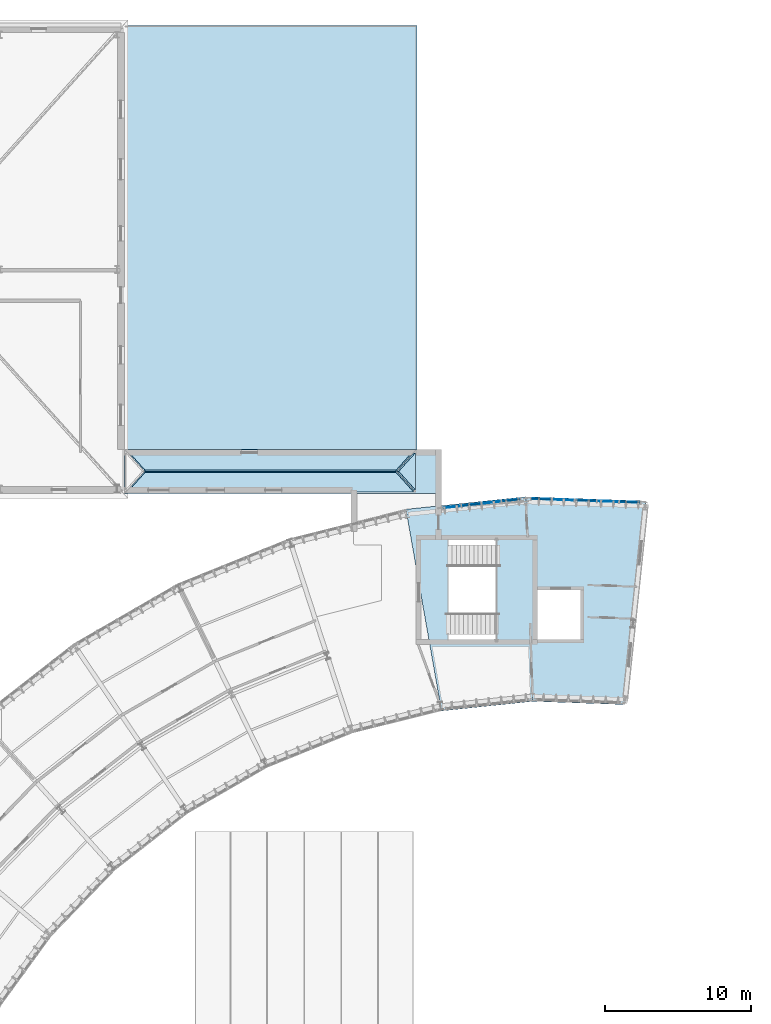
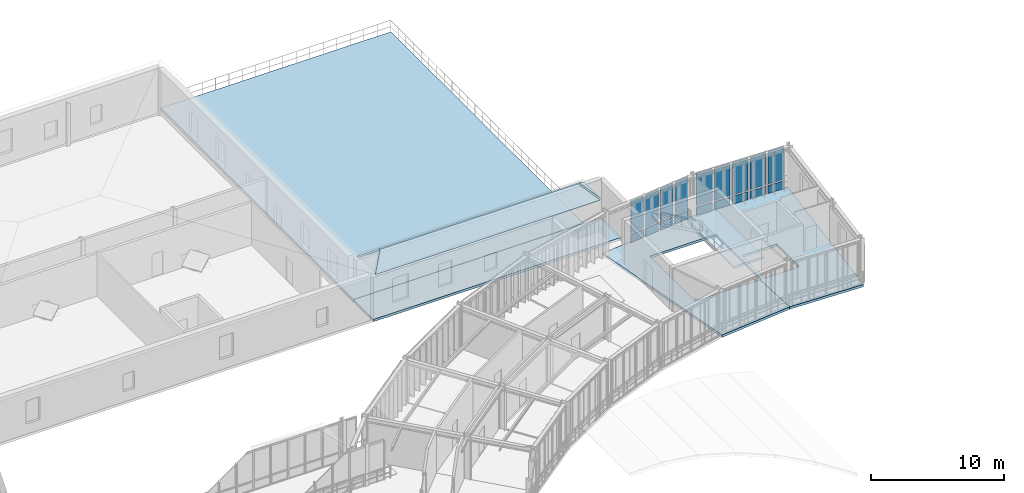
# One storey, part 33 of 57: 18 plates, 8 slabs, 3 elements without a shape of their own.
"""IFC4 building model written with IfcOpenShell, lengths in metres."""

from ifc_helpers import new_model, si_unit, direction, frame, origin, origin_2d, place, context, subcontext, project, spatial, polyline, rectangle, outline, extrude, material, layer, layer_set, type_object, element, aggregate, save


model = new_model("IFC4")

# Units and contexts
model_context = context("Model", 3, precision=1e-05, world=origin(), true_north=direction((0.0, 1.0)))
body_context = subcontext(model_context, "Body", "Model", "MODEL_VIEW")
ifc_project = project(units=[si_unit("LENGTHUNIT", "METRE"), si_unit("AREAUNIT", "SQUARE_METRE"), si_unit("VOLUMEUNIT", "CUBIC_METRE"), si_unit("PLANEANGLEUNIT", "RADIAN"), si_unit("MASSUNIT", "GRAM", prefix="KILO"), si_unit("THERMODYNAMICTEMPERATUREUNIT", "KELVIN"), si_unit("POWERUNIT", "WATT")], contexts=[model_context])

# Site, building, storey
site_placement = place(None, origin())
site = spatial("IfcSite", under=ifc_project, at=site_placement, CompositionType="ELEMENT")
building_placement = place(site_placement, origin())
building = spatial("IfcBuilding", under=site, at=building_placement, Name="Solvatero Civic Police Headquarters", CompositionType="ELEMENT")
storey_placement = place(building_placement, frame((0.0, 0.0, 9.300048828125)))
storey = spatial("IfcBuildingStorey", under=building, at=storey_placement, Name="L02", CompositionType="ELEMENT", Elevation=9.300048828125)

# Curtain wall, plates
ifc_material_1 = material(Name="Anodized Bronze Aluminium", Category="aluminium")
ifc_layer_1 = layer(ifc_material_1, 0.179931640625)
ifc_layer_set_1 = layer_set([ifc_layer_1], Name="Anodized Bronze Aluminium")
curtain_wall_type = type_object("IfcCurtainWallType", Name="CW-ARC-OUT", PredefinedType="USERDEFINED", material=ifc_layer_set_1)
curtain_wall_1_placement = place(storey_placement, origin())
curtain_wall_1 = element("IfcCurtainWall", 1, at=curtain_wall_1_placement, inside=storey, type_object=curtain_wall_type, Name="Curtain Wall CW-R2-L02-ARC-OUT-B01", ObjectType="UNITISED", PredefinedType="USERDEFINED")
ifc_material_2 = material(Name="Triple Low-E Laminated Glass", Category="glass")
ifc_layer_2 = layer(ifc_material_2, 0.0380859375)
ifc_layer_set_2 = layer_set([ifc_layer_2], Name="Triple Low-E Laminated Glass")
plate_type_1 = type_object("IfcPlateType", Name="CWP-GLZ-38", PredefinedType="CURTAIN_PANEL", material=ifc_layer_set_2)
plate_1_placement = place(storey_placement, frame((97.566162109375, 84.647705078125, 0.91015625), z_axis=(0.0, 0.0, 1.0), x_axis=(-0.999390827019, 0.034899496703, 0.0)))
plate_1 = element("IfcPlate", 2, at=plate_1_placement, type_object=plate_type_1, Name="CW-R2-L02-ARC-OUT-B01 Vision Glazing 2", PredefinedType="CURTAIN_PANEL", context=body_context, shape_type="SweptSolid", body=[
    extrude(rectangle(XDim=1.3427734375, YDim=0.0380859375, at=origin_2d()), origin(), (0.0, 0.0, 1.0), 2.969970703125),
])
plate_2_placement = place(storey_placement, frame((94.522705078125, 84.754150390625, 0.91015625), z_axis=(0.0, 0.0, 1.0), x_axis=(-0.999390827019, 0.034899496703, 0.0)))
plate_2 = element("IfcPlate", 3, at=plate_2_placement, type_object=plate_type_1, Name="CW-R2-L02-ARC-OUT-B01 Vision Glazing 4", PredefinedType="CURTAIN_PANEL", context=body_context, shape_type="SweptSolid", body=[
    extrude(rectangle(XDim=1.3427734375, YDim=0.0380859375, at=origin_2d()), origin(), (0.0, 0.0, 1.0), 2.969970703125),
])

curtain_wall_2_placement = place(storey_placement, origin())
curtain_wall_2 = element("IfcCurtainWall", 4, at=curtain_wall_2_placement, inside=storey, type_object=curtain_wall_type, Name="Curtain Wall CW-R2-L02-ARC-OUT-B02E", ObjectType="UNITISED", PredefinedType="USERDEFINED")
plate_3_placement = place(storey_placement, frame((89.598388671875, 84.576416015625, 0.91015625), z_axis=(0.0, 0.0, 1.0), x_axis=(-0.993565927008, -0.113255236913, 0.0)))
plate_3 = element("IfcPlate", 5, at=plate_3_placement, type_object=plate_type_1, Name="CW-R2-L02-ARC-OUT-B02E Vision Glazing 2", PredefinedType="CURTAIN_PANEL", context=body_context, shape_type="SweptSolid", body=[
    extrude(rectangle(XDim=1.1962890625, YDim=0.0380859375, at=origin_2d()), origin(), (0.0, 0.0, 1.0), 2.969970703125),
])
plate_4_placement = place(storey_placement, frame((86.86328125, 84.2646484375, 0.91015625), z_axis=(0.0, 0.0, 1.0), x_axis=(-0.993565927008, -0.113255236913, 0.0)))
plate_4 = element("IfcPlate", 6, at=plate_4_placement, type_object=plate_type_1, Name="CW-R2-L02-ARC-OUT-B02E Vision Glazing 4", PredefinedType="CURTAIN_PANEL", context=body_context, shape_type="SweptSolid", body=[
    extrude(rectangle(XDim=1.1962890625, YDim=0.0380859375, at=origin_2d()), origin(), (0.0, 0.0, 1.0), 2.969970703125),
])

# Plate
ifc_material_3 = material(Name="Acoustic Ballistic Laminated Glass", Category="glass")
ifc_layer_3 = layer(ifc_material_3, 0.0439453125)
ifc_layer_set_3 = layer_set([ifc_layer_3], Name="Acoustic Ballistic Laminated Glass")
plate_type_2 = type_object("IfcPlateType", Name="CWP-GLZ-44", PredefinedType="CURTAIN_PANEL", material=ifc_layer_set_3)
plate_5_placement = place(storey_placement, frame((99.087890625, 84.5947265625, 0.91015625), z_axis=(0.0, 0.0, 1.0), x_axis=(-0.999390827019, 0.034899496703, 0.0)))
plate_5 = element("IfcPlate", 7, at=plate_5_placement, type_object=plate_type_2, Name="CW-R2-L02-ARC-OUT-B01 Vision Glazing 1", PredefinedType="CURTAIN_PANEL", context=body_context, shape_type="SweptSolid", body=[
    extrude(rectangle(XDim=1.3427734375, YDim=0.0439453125, at=origin_2d()), origin(), (0.0, 0.0, 1.0), 2.969970703125),
])

plate_6_placement = place(storey_placement, frame((96.04443359375, 84.700927734375, 0.91015625), z_axis=(0.0, 0.0, 1.0), x_axis=(-0.999390827019, 0.034899496703, 0.0)))
plate_6 = element("IfcPlate", 8, at=plate_6_placement, type_object=plate_type_2, Name="CW-R2-L02-ARC-OUT-B01 Vision Glazing 3", PredefinedType="CURTAIN_PANEL", context=body_context, shape_type="SweptSolid", body=[
    extrude(rectangle(XDim=1.3427734375, YDim=0.0439453125, at=origin_2d()), origin(), (0.0, 0.0, 1.0), 2.969970703125),
])

plate_7_placement = place(storey_placement, frame((93.000732421875, 84.807373046875, 0.91015625), z_axis=(0.0, 0.0, 1.0), x_axis=(-0.999390827019, 0.034899496703, 0.0)))
plate_7 = element("IfcPlate", 9, at=plate_7_placement, type_object=plate_type_2, Name="CW-R2-L02-ARC-OUT-B01 Vision Glazing 5", PredefinedType="CURTAIN_PANEL", context=body_context, shape_type="SweptSolid", body=[
    extrude(rectangle(XDim=1.3427734375, YDim=0.0439453125, at=origin_2d()), origin(), (0.0, 0.0, 1.0), 2.969970703125),
])

plate_8_placement = place(storey_placement, frame((90.966064453125, 84.732421875, 0.91015625), z_axis=(0.0, 0.0, 1.0), x_axis=(-0.993565927008, -0.113255236913, 0.0)))
plate_8 = element("IfcPlate", 10, at=plate_8_placement, type_object=plate_type_2, Name="CW-R2-L02-ARC-OUT-B02E Vision Glazing 1", PredefinedType="CURTAIN_PANEL", context=body_context, shape_type="SweptSolid", body=[
    extrude(rectangle(XDim=1.1962890625, YDim=0.0439453125, at=origin_2d()), origin(), (0.0, 0.0, 1.0), 2.969970703125),
])

plate_9_placement = place(storey_placement, frame((88.23095703125, 84.420654296875, 0.91015625), z_axis=(0.0, 0.0, 1.0), x_axis=(-0.993565927008, -0.113255236913, 0.0)))
plate_9 = element("IfcPlate", 11, at=plate_9_placement, type_object=plate_type_2, Name="CW-R2-L02-ARC-OUT-B02E Vision Glazing 3", PredefinedType="CURTAIN_PANEL", context=body_context, shape_type="SweptSolid", body=[
    extrude(rectangle(XDim=1.1962890625, YDim=0.0439453125, at=origin_2d()), origin(), (0.0, 0.0, 1.0), 2.969970703125),
])

ifc_material_4 = material(Name="Insulated Bronze Aluminium Spandrel", Category="aluminium")
ifc_layer_4 = layer(ifc_material_4, 0.06005859375)
ifc_layer_set_4 = layer_set([ifc_layer_4], Name="Insulated Bronze Aluminium Spandrel")
plate_type_3 = type_object("IfcPlateType", Name="CWP-SPN-60", PredefinedType="CURTAIN_PANEL", material=ifc_layer_set_4)
plate_10_placement = place(storey_placement, frame((97.566162109375, 84.647705078125, 0.06005859375), z_axis=(0.0, 0.0, 1.0), x_axis=(-0.999390827019, 0.034899496703, 0.0)))
plate_10 = element("IfcPlate", 12, at=plate_10_placement, type_object=plate_type_3, Name="CW-R2-L02-ARC-OUT-B01 Spandrel Panel 2", PredefinedType="CURTAIN_PANEL", context=body_context, shape_type="SweptSolid", body=[
    extrude(rectangle(XDim=1.3427734375, YDim=0.06005859375, at=origin_2d()), origin(), (0.0, 0.0, 1.0), 0.72998046875),
])

plate_11_placement = place(storey_placement, frame((94.522705078125, 84.754150390625, 0.06005859375), z_axis=(0.0, 0.0, 1.0), x_axis=(-0.999390827019, 0.034899496703, 0.0)))
plate_11 = element("IfcPlate", 13, at=plate_11_placement, type_object=plate_type_3, Name="CW-R2-L02-ARC-OUT-B01 Spandrel Panel 4", PredefinedType="CURTAIN_PANEL", context=body_context, shape_type="SweptSolid", body=[
    extrude(rectangle(XDim=1.3427734375, YDim=0.06005859375, at=origin_2d()), origin(), (0.0, 0.0, 1.0), 0.72998046875),
])

plate_12_placement = place(storey_placement, frame((89.598388671875, 84.576416015625, 0.06005859375), z_axis=(0.0, 0.0, 1.0), x_axis=(-0.993565927008, -0.113255236913, 0.0)))
plate_12 = element("IfcPlate", 14, at=plate_12_placement, type_object=plate_type_3, Name="CW-R2-L02-ARC-OUT-B02E Spandrel Panel 2", PredefinedType="CURTAIN_PANEL", context=body_context, shape_type="SweptSolid", body=[
    extrude(rectangle(XDim=1.1962890625, YDim=0.06005859375, at=origin_2d()), origin(), (0.0, 0.0, 1.0), 0.72998046875),
])

plate_13_placement = place(storey_placement, frame((86.86328125, 84.2646484375, 0.06005859375), z_axis=(0.0, 0.0, 1.0), x_axis=(-0.993565927008, -0.113255236913, 0.0)))
plate_13 = element("IfcPlate", 15, at=plate_13_placement, type_object=plate_type_3, Name="CW-R2-L02-ARC-OUT-B02E Spandrel Panel 4", PredefinedType="CURTAIN_PANEL", context=body_context, shape_type="SweptSolid", body=[
    extrude(rectangle(XDim=1.1962890625, YDim=0.06005859375, at=origin_2d()), origin(), (0.0, 0.0, 1.0), 0.72998046875),
])

ifc_material_5 = material(Name="Limestone Veneer Spandrel Panel", Category="masonry")
ifc_layer_5 = layer(ifc_material_5, 0.074951171875)
ifc_layer_set_5 = layer_set([ifc_layer_5], Name="Limestone Veneer Spandrel Panel")
plate_type_4 = type_object("IfcPlateType", Name="CWP-SPN-75", PredefinedType="CURTAIN_PANEL", material=ifc_layer_set_5)
plate_14_placement = place(storey_placement, frame((99.087890625, 84.5947265625, 0.06005859375), z_axis=(0.0, 0.0, 1.0), x_axis=(-0.999390827019, 0.034899496703, 0.0)))
plate_14 = element("IfcPlate", 16, at=plate_14_placement, type_object=plate_type_4, Name="CW-R2-L02-ARC-OUT-B01 Spandrel Panel 1", PredefinedType="CURTAIN_PANEL", context=body_context, shape_type="SweptSolid", body=[
    extrude(rectangle(XDim=1.3427734375, YDim=0.074951171875, at=origin_2d()), origin(), (0.0, 0.0, 1.0), 0.72998046875),
])

plate_15_placement = place(storey_placement, frame((96.04443359375, 84.700927734375, 0.06005859375), z_axis=(0.0, 0.0, 1.0), x_axis=(-0.999390827019, 0.034899496703, 0.0)))
plate_15 = element("IfcPlate", 17, at=plate_15_placement, type_object=plate_type_4, Name="CW-R2-L02-ARC-OUT-B01 Spandrel Panel 3", PredefinedType="CURTAIN_PANEL", context=body_context, shape_type="SweptSolid", body=[
    extrude(rectangle(XDim=1.3427734375, YDim=0.074951171875, at=origin_2d()), origin(), (0.0, 0.0, 1.0), 0.72998046875),
])

plate_16_placement = place(storey_placement, frame((93.000732421875, 84.807373046875, 0.06005859375), z_axis=(0.0, 0.0, 1.0), x_axis=(-0.999390827019, 0.034899496703, 0.0)))
plate_16 = element("IfcPlate", 18, at=plate_16_placement, type_object=plate_type_4, Name="CW-R2-L02-ARC-OUT-B01 Spandrel Panel 5", PredefinedType="CURTAIN_PANEL", context=body_context, shape_type="SweptSolid", body=[
    extrude(rectangle(XDim=1.3427734375, YDim=0.074951171875, at=origin_2d()), origin(), (0.0, 0.0, 1.0), 0.72998046875),
])

aggregate(curtain_wall_1, [plate_14, plate_5, plate_10, plate_1, plate_15, plate_6, plate_11, plate_2, plate_16, plate_7])

plate_17_placement = place(storey_placement, frame((90.966064453125, 84.732421875, 0.06005859375), z_axis=(0.0, 0.0, 1.0), x_axis=(-0.993565927008, -0.113255236913, 0.0)))
plate_17 = element("IfcPlate", 19, at=plate_17_placement, type_object=plate_type_4, Name="CW-R2-L02-ARC-OUT-B02E Spandrel Panel 1", PredefinedType="CURTAIN_PANEL", context=body_context, shape_type="SweptSolid", body=[
    extrude(rectangle(XDim=1.1962890625, YDim=0.074951171875, at=origin_2d()), origin(), (0.0, 0.0, 1.0), 0.72998046875),
])

plate_18_placement = place(storey_placement, frame((88.23095703125, 84.420654296875, 0.06005859375), z_axis=(0.0, 0.0, 1.0), x_axis=(-0.993565927008, -0.113255236913, 0.0)))
plate_18 = element("IfcPlate", 20, at=plate_18_placement, type_object=plate_type_4, Name="CW-R2-L02-ARC-OUT-B02E Spandrel Panel 3", PredefinedType="CURTAIN_PANEL", context=body_context, shape_type="SweptSolid", body=[
    extrude(rectangle(XDim=1.1962890625, YDim=0.074951171875, at=origin_2d()), origin(), (0.0, 0.0, 1.0), 0.72998046875),
])

aggregate(curtain_wall_2, [plate_17, plate_8, plate_12, plate_3, plate_18, plate_9, plate_13, plate_4])

# Slabs
ifc_material_6 = material(Name="Concrete C35/45", Category="concrete")
ifc_layer_6 = layer(ifc_material_6, 0.199951171875)
ifc_layer_set_6 = layer_set([ifc_layer_6], Name="Concrete C35/45")
slab_type_1 = type_object("IfcSlabType", Name="SLB-COMP-200", PredefinedType="FLOOR", material=ifc_layer_set_6)
slab_1_placement = place(storey_placement, frame((0.0, 0.0, -0.219970703125)))
element("IfcSlab", 21, at=slab_1_placement, inside=storey, type_object=slab_type_1, Name="L02 Operations Arc Floor Slab Bay 1", PredefinedType="FLOOR", context=body_context, shape_type="SweptSolid", body=[
    extrude(outline(polyline([(98.703857421875, 70.75341796875), (92.429443359375, 70.97265625), (92.281982421875, 75.199951171875), (92.39990234375, 75.199951171875), (92.39990234375, 82.0), (92.04443359375, 82.0), (91.94091796875, 84.964111328125), (100.167236328125, 84.6767578125), (98.703857421875, 70.75341796875)]), holes=[polyline([(92.699951171875, 75.199951171875), (95.699951171875, 75.199951171875), (95.699951171875, 78.60009765625), (92.699951171875, 78.60009765625), (92.699951171875, 75.199951171875)])]), origin(), (0.0, 0.0, 1.0), 0.219970703125),
])
slab_2_placement = place(storey_placement, frame((0.0, 0.0, -0.219970703125)))
element("IfcSlab", 22, at=slab_2_placement, inside=storey, type_object=slab_type_1, Name="L02 Operations Arc Floor Slab Bay 2", PredefinedType="FLOOR", context=body_context, shape_type="SweptSolid", body=[
    extrude(outline(polyline([(83.7548828125, 84.103759765625), (91.93896484375, 84.9638671875), (92.04248046875, 82.0), (86.659912109375, 82.0), (86.659912109375, 75.199951171875), (92.27978515625, 75.199951171875), (92.427490234375, 70.972412109375), (86.185791015625, 70.31640625), (83.7548828125, 84.103759765625)])), origin(), (0.0, 0.0, 1.0), 0.219970703125),
])
ifc_layer_7 = layer(ifc_material_6, 0.219970703125)
ifc_layer_set_7 = layer_set([ifc_layer_7], Name="Concrete C35/45")
slab_type_2 = type_object("IfcSlabType", Name="SLB-COMP-220", PredefinedType="FLOOR", material=ifc_layer_set_7)
slab_3_placement = place(storey_placement, frame((0.0, 0.0, -0.219970703125)))
element("IfcSlab", 23, at=slab_3_placement, inside=storey, type_object=slab_type_2, Name="L02 Suspended floor slab SLB-L02-V7COR", PredefinedType="FLOOR", context=body_context, shape_type="SweptSolid", body=[
    extrude(outline(polyline([(86.0, 88.199951171875), (86.0, 85.199951171875), (64.501953125, 85.199951171875), (64.501953125, 88.199951171875), (86.0, 88.199951171875)])), origin(), (0.0, 0.0, 1.0), 0.219970703125),
])

# Stair, slab
ifc_material_7 = material(Name="Precast concrete C40/50", Category="concrete")
stair_type = type_object("IfcStairType", Name="STR-C145-420", PredefinedType="HALF_TURN_STAIR", material=ifc_material_7)
stair_placement = place(storey_placement, origin())
stair = element("IfcStair", 24, at=stair_placement, inside=storey, type_object=stair_type, Name="Protected Exit Stair ST-C3 (L02 to L03)", PredefinedType="HALF_TURN_STAIR")
ifc_layer_8 = layer(ifc_material_7, 0.199951171875)
ifc_layer_set_8 = layer_set([ifc_layer_8], Name="Precast concrete C40/50")
slab_type_3 = type_object("IfcSlabType", Name="SLB-LND-200", PredefinedType="LANDING", material=ifc_layer_set_8)
slab_4_placement = place(storey_placement, frame((0.0, 0.0, 1.89990234375)))
slab_4 = element("IfcSlab", 25, at=slab_4_placement, type_object=slab_type_3, Name="ST-C3 L02 Half-Landing", PredefinedType="LANDING", context=body_context, shape_type="SweptSolid", body=[
    extrude(outline(polyline([(89.93994140625, 75.050048828125), (92.550048828125, 75.050048828125), (92.550048828125, 82.14990234375), (89.93994140625, 82.14990234375), (89.93994140625, 75.050048828125)])), origin(), (0.0, 0.0, 1.0), 0.199951171875),
])
aggregate(stair, [slab_4])

# Slabs
ifc_layer_9 = layer(ifc_material_6, 0.179931640625)
ifc_layer_set_9 = layer_set([ifc_layer_9], Name="Concrete C35/45")
slab_type_4 = type_object("IfcSlabType", Name="SLB-RF-COT-180", PredefinedType="ROOF", material=ifc_layer_set_9)
slab_5_placement = place(storey_placement, frame((83.082275390625, 86.615478515625, 5.079345703125), z_axis=(0.0, -0.641276347404, 0.767310006621), x_axis=(0.5683114756, -0.631353037224, -0.52765084013)))
element("IfcSlab", 26, at=slab_5_placement, inside=storey, type_object=slab_type_4, Name="V7CORR Lombard Hipped Roof Slab S", PredefinedType="ROOF", context=body_context, shape_type="SweptSolid", body=[
    extrude(outline(polyline([(0.0, 0.0), (2.083508924396023, -1.1102230246251565e-16), (-9.017157070936381, -16.071781594687078), (-9.754811182509313, -14.123224218134514), (0.0, 0.0)])), origin(), (0.0, 0.0, -1.0), 0.179931640625),
])
slab_6_placement = place(storey_placement, frame((65.917724609375, 86.784423828125, 5.079345703125), z_axis=(0.0, 0.641206277992, 0.767368561425), x_axis=(-0.568269432427, 0.631423499247, -0.527611804993)))
element("IfcSlab", 27, at=slab_6_placement, inside=storey, type_object=slab_type_4, Name="V7CORR Lombard Hipped Roof Slab N", PredefinedType="ROOF", context=body_context, shape_type="SweptSolid", body=[
    extrude(outline(polyline([(0.0, 0.0), (2.0836630719227656, -5.551115123125783e-17), (-9.016181706087398, -16.07234877270065), (-9.754089530320009, -14.123722630971328), (0.0, 0.0)])), origin(), (0.0, 0.0, -1.0), 0.179931640625),
])
slab_7_placement = place(storey_placement, frame((84.39990234375, 87.9580078125, 3.97998046875), z_axis=(0.680475338999, 0.0, 0.732770982651), x_axis=(0.0, -1.0, 0.0)))
element("IfcSlab", 28, at=slab_7_placement, inside=storey, type_object=slab_type_4, Name="V7CORR Lombard Hipped Roof Slab E", PredefinedType="ROOF", context=body_context, shape_type="SweptSolid", body=[
    extrude(outline(polyline([(0.0, 0.0), (2.51611328125, 0.0), (1.258056640625, -1.5452634527833249), (0.0, 0.0)])), origin(), (0.0, 0.0, -1.0), 0.179931640625),
])
ifc_layer_10 = layer(ifc_material_6, 0.260009765625)
ifc_layer_set_10 = layer_set([ifc_layer_10], Name="Concrete C35/45")
slab_type_5 = type_object("IfcSlabType", Name="SLB-TERR-260", PredefinedType="FLOOR", material=ifc_layer_set_10)
slab_8_placement = place(storey_placement, frame((0.0, 0.0, -0.260009765625)))
element("IfcSlab", 29, at=slab_8_placement, inside=storey, type_object=slab_type_5, Name="L02 Walkable roof terrace slab SLB-L02-TRG7", PredefinedType="FLOOR", context=body_context, shape_type="SweptSolid", body=[
    extrude(outline(polyline([(84.5, 117.199951171875), (84.5, 88.201904296875), (64.501953125, 88.201904296875), (64.501953125, 117.199951171875), (84.5, 117.199951171875)])), origin(), (0.0, 0.0, 1.0), 0.260009765625),
])

save(model, "model.ifc")
